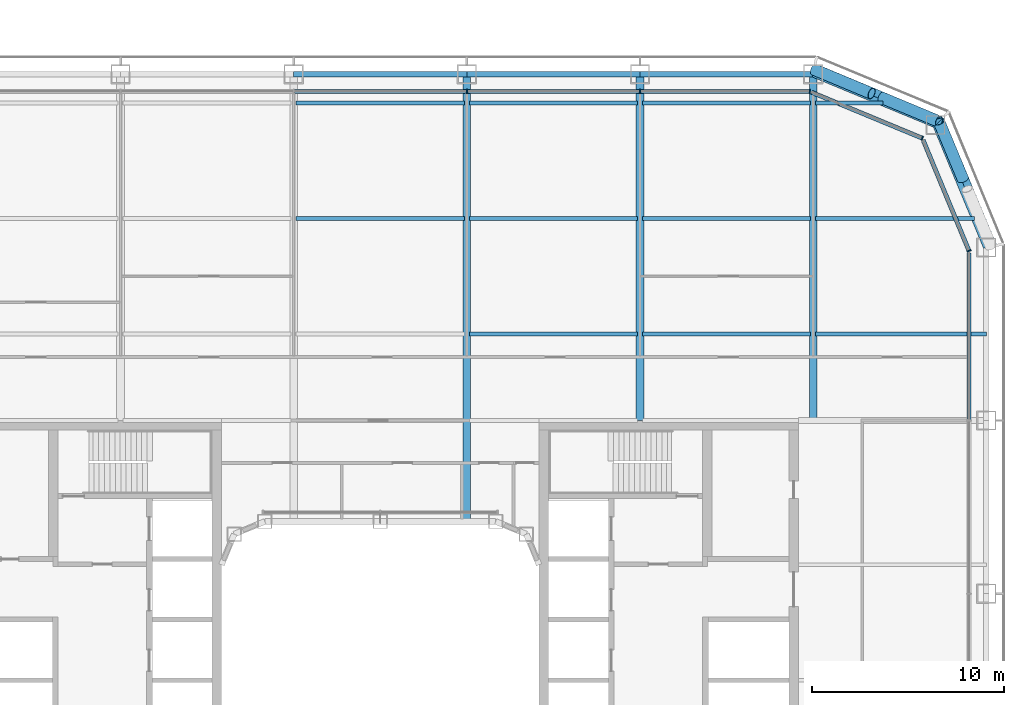
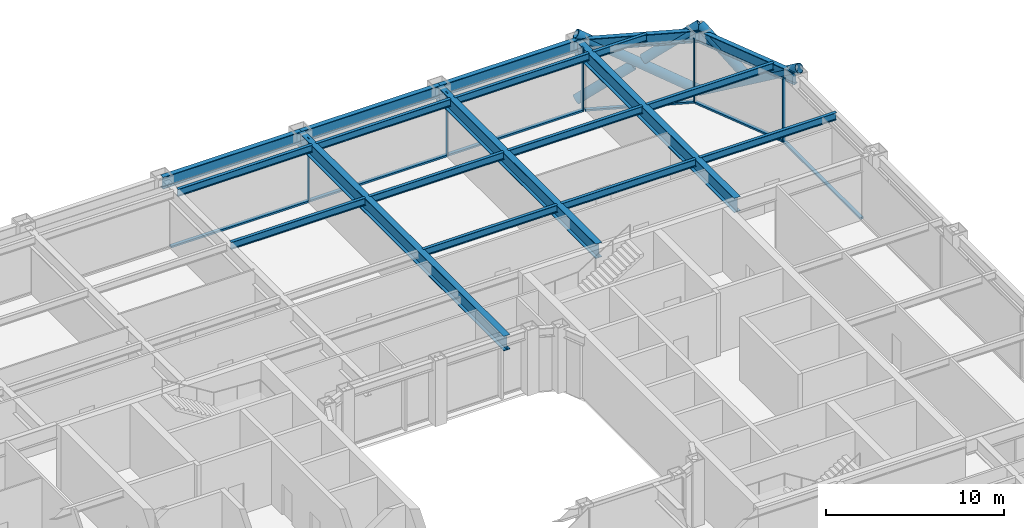
# One storey, part 10 of 28: 19 beams, 16 members, 4 elements without a shape of their own.
"""IFC4 building model written with IfcOpenShell, lengths in metres."""

from ifc_helpers import new_model, si_unit, direction, frame, origin, origin_2d, place, context, subcontext, project, spatial, rectangle, hollow_circle, i_section, extrude, material, layer, layer_set, material_profile, profile_set, type_object, element, aggregate, save


model = new_model("IFC4")

# Units and contexts
model_context = context("Model", 3, precision=1e-05, world=origin(), true_north=direction((0.0, 1.0)))
body_context = subcontext(model_context, "Body", "Model", "MODEL_VIEW")
ifc_project = project(units=[si_unit("LENGTHUNIT", "METRE"), si_unit("AREAUNIT", "SQUARE_METRE"), si_unit("VOLUMEUNIT", "CUBIC_METRE"), si_unit("PLANEANGLEUNIT", "RADIAN"), si_unit("MASSUNIT", "GRAM", prefix="KILO")], contexts=[model_context])

# Site, building, storey
site_placement = place(None, origin())
site = spatial("IfcSite", under=ifc_project, at=site_placement, CompositionType="ELEMENT")
building_placement = place(site_placement, origin())
building = spatial("IfcBuilding", under=site, at=building_placement, Name="Siwar Civic Tower", CompositionType="ELEMENT")
storey_placement = place(building_placement, frame((0.0, 0.0, 85.199951171875)))
storey = spatial("IfcBuildingStorey", under=building, at=storey_placement, Name="L18", CompositionType="ELEMENT", Elevation=85.199951171875)

# Curtain wall, member
ifc_material_1 = material(Name="Aluminium clad insulated panel", Category="aluminium")
ifc_layer_1 = layer(ifc_material_1, 0.219970703125)
ifc_layer_set_1 = layer_set([ifc_layer_1], Name="Aluminium clad insulated panel")
curtain_wall_type_1 = type_object("IfcCurtainWallType", Name="ENV-CW-AX", PredefinedType="NOTDEFINED", material=ifc_layer_set_1)
curtain_wall_1_placement = place(storey_placement, origin())
curtain_wall_1 = element("IfcCurtainWall", 1, at=curtain_wall_1_placement, inside=storey, type_object=curtain_wall_type_1, Name="Curtain wall A NE1", PredefinedType="NOTDEFINED")
ifc_material_2 = material(Name="Aluminium 6063-T6", Category="aluminium")
ifc_material_profile_1 = material_profile(ifc_material_2, rectangle(XDim=0.219970703125, YDim=0.070068359375, at=origin_2d()), Name="AL 220x70")
ifc_profile_set_1 = profile_set([ifc_material_profile_1], Name="Aluminium 6063-T6")
member_type_1 = type_object("IfcMemberType", Name="ENV-MULLION-A", PredefinedType="MULLION", material=ifc_profile_set_1)
member_1_placement = place(storey_placement, frame((30.60009765625, 22.321044921875, 0.0), z_axis=(0.0, 0.0, 1.0), x_axis=(-0.923879532511, -0.382683432365, 0.0)))
member_1 = element("IfcMember", 2, at=member_1_placement, type_object=member_type_1, Name="Mullion A NE1 1", PredefinedType="MULLION", context=body_context, shape_type="SweptSolid", body=[
    extrude(rectangle(XDim=0.219970703125, YDim=0.070068359375, at=origin_2d()), origin(), (0.0, 0.0, 1.0), 4.35009765625),
])

curtain_wall_2_placement = place(storey_placement, origin())
curtain_wall_2 = element("IfcCurtainWall", 3, at=curtain_wall_2_placement, inside=storey, type_object=curtain_wall_type_1, Name="Curtain wall A NE2", PredefinedType="NOTDEFINED")
member_2_placement = place(storey_placement, frame((28.175048828125, 28.175048828125, 0.0), z_axis=(0.0, 0.0, 1.0), x_axis=(-0.382683432365, -0.923879532511, 0.0)))
member_2 = element("IfcMember", 4, at=member_2_placement, type_object=member_type_1, Name="Mullion A NE2 1", PredefinedType="MULLION", context=body_context, shape_type="SweptSolid", body=[
    extrude(rectangle(XDim=0.219970703125, YDim=0.070068359375, at=origin_2d()), origin(), (0.0, 0.0, 1.0), 4.35009765625),
])

# Curtain wall, members
ifc_material_3 = material(Name="Aluminium and glass", Category="aluminium")
ifc_layer_2 = layer(ifc_material_3, 0.219970703125)
ifc_layer_set_2 = layer_set([ifc_layer_2], Name="Aluminium and glass")
curtain_wall_type_2 = type_object("IfcCurtainWallType", Name="ENV-CW-A", PredefinedType="NOTDEFINED", material=ifc_layer_set_2)
curtain_wall_3_placement = place(storey_placement, origin())
curtain_wall_3 = element("IfcCurtainWall", 5, at=curtain_wall_3_placement, inside=storey, type_object=curtain_wall_type_2, Name="Curtain wall A N", PredefinedType="NOTDEFINED")
member_3_placement = place(storey_placement, frame((22.321044921875, 30.60009765625, 0.0), z_axis=(0.0, 0.0, 1.0), x_axis=(0.0, -1.0, 0.0)))
member_3 = element("IfcMember", 6, at=member_3_placement, type_object=member_type_1, Name="Mullion A N 1", PredefinedType="MULLION", context=body_context, shape_type="SweptSolid", body=[
    extrude(rectangle(XDim=0.219970703125, YDim=0.070068359375, at=origin_2d()), origin(), (0.0, 0.0, 1.0), 4.35009765625),
])
member_4_placement = place(storey_placement, frame((13.5, 30.60009765625, 0.0), z_axis=(0.0, 0.0, 1.0), x_axis=(0.0, -1.0, 0.0)))
member_4 = element("IfcMember", 7, at=member_4_placement, type_object=member_type_1, Name="Mullion A N 2", PredefinedType="MULLION", context=body_context, shape_type="SweptSolid", body=[
    extrude(rectangle(XDim=0.219970703125, YDim=0.070068359375, at=origin_2d()), origin(), (0.0, 0.0, 1.0), 4.35009765625),
])
member_5_placement = place(storey_placement, frame((4.5, 30.60009765625, 0.0), z_axis=(0.0, 0.0, 1.0), x_axis=(0.0, -1.0, 0.0)))
member_5 = element("IfcMember", 8, at=member_5_placement, type_object=member_type_1, Name="Mullion A N 3", PredefinedType="MULLION", context=body_context, shape_type="SweptSolid", body=[
    extrude(rectangle(XDim=0.219970703125, YDim=0.070068359375, at=origin_2d()), origin(), (0.0, 0.0, 1.0), 4.35009765625),
])

# Curtain wall, member
curtain_wall_4_placement = place(storey_placement, origin())
curtain_wall_4 = element("IfcCurtainWall", 9, at=curtain_wall_4_placement, inside=storey, type_object=curtain_wall_type_2, Name="Curtain wall A E", PredefinedType="NOTDEFINED")
ifc_material_4 = material(Name="Aluminium 6063-T6", Category="aluminium")
ifc_material_profile_2 = material_profile(ifc_material_4, rectangle(XDim=0.219970703125, YDim=0.1201171875, at=origin_2d()), Name="AL 220x120")
ifc_profile_set_2 = profile_set([ifc_material_profile_2], Name="Aluminium 6063-T6")
member_type_2 = type_object("IfcMemberType", Name="ENV-TRANSOM-A", PredefinedType="USERDEFINED", material=ifc_profile_set_2)
member_6_placement = place(storey_placement, frame((30.60009765625, 13.534912109375, 0.06005859375), z_axis=(0.0, 1.0, 0.0), x_axis=(-1.0, 0.0, 0.0)))
member_6 = element("IfcMember", 10, at=member_6_placement, type_object=member_type_2, Name="Transom A E 5", ObjectType="TRANSOM", PredefinedType="USERDEFINED", context=body_context, shape_type="SweptSolid", body=[
    extrude(rectangle(XDim=0.219970703125, YDim=0.1201171875, at=origin_2d()), origin(), (0.0, 0.0, 1.0), 8.66357421875),
])
aggregate(curtain_wall_4, [member_6])

# Member
member_7_placement = place(storey_placement, frame((30.586669921875, 22.353271484375, 0.06005859375), z_axis=(-0.382698415042, 0.923873326341, 0.0), x_axis=(-0.923873326341, -0.382698415042, 0.0)))
member_7 = element("IfcMember", 11, at=member_7_placement, type_object=member_type_2, Name="Transom A NE1 1", ObjectType="TRANSOM", PredefinedType="USERDEFINED", context=body_context, shape_type="SweptSolid", body=[
    extrude(rectangle(XDim=0.219970703125, YDim=0.1201171875, at=origin_2d()), origin(), (0.0, 0.0, 1.0), 6.17919921875),
])

aggregate(curtain_wall_1, [member_1, member_7])

member_8_placement = place(storey_placement, frame((28.142822265625, 28.1884765625, 0.06005859375), z_axis=(-0.923873326341, 0.382698415042, 0.0), x_axis=(-0.382698415042, -0.923873326341, 0.0)))
member_8 = element("IfcMember", 12, at=member_8_placement, type_object=member_type_2, Name="Transom A NE2 1", ObjectType="TRANSOM", PredefinedType="USERDEFINED", context=body_context, shape_type="SweptSolid", body=[
    extrude(rectangle(XDim=0.219970703125, YDim=0.1201171875, at=origin_2d()), origin(), (0.0, 0.0, 1.0), 6.17919921875),
])

aggregate(curtain_wall_2, [member_2, member_8])

member_9_placement = place(storey_placement, frame((22.285888671875, 30.60009765625, 0.06005859375), z_axis=(-1.0, 0.0, 0.0), x_axis=(0.0, -1.0, 0.0)))
member_9 = element("IfcMember", 13, at=member_9_placement, type_object=member_type_2, Name="Transom A N 1", ObjectType="TRANSOM", PredefinedType="USERDEFINED", context=body_context, shape_type="SweptSolid", body=[
    extrude(rectangle(XDim=0.219970703125, YDim=0.1201171875, at=origin_2d()), origin(), (0.0, 0.0, 1.0), 8.7509765625),
])

member_10_placement = place(storey_placement, frame((13.465087890625, 30.60009765625, 0.06005859375), z_axis=(-1.0, 0.0, 0.0), x_axis=(0.0, -1.0, 0.0)))
member_10 = element("IfcMember", 14, at=member_10_placement, type_object=member_type_2, Name="Transom A N 2", ObjectType="TRANSOM", PredefinedType="USERDEFINED", context=body_context, shape_type="SweptSolid", body=[
    extrude(rectangle(XDim=0.219970703125, YDim=0.1201171875, at=origin_2d()), origin(), (0.0, 0.0, 1.0), 8.93017578125),
])

member_11_placement = place(storey_placement, frame((4.465087890625, 30.60009765625, 0.06005859375), z_axis=(-1.0, 0.0, 0.0), x_axis=(0.0, -1.0, 0.0)))
member_11 = element("IfcMember", 15, at=member_11_placement, type_object=member_type_2, Name="Transom A N 3", ObjectType="TRANSOM", PredefinedType="USERDEFINED", context=body_context, shape_type="SweptSolid", body=[
    extrude(rectangle(XDim=0.219970703125, YDim=0.1201171875, at=origin_2d()), origin(), (0.0, 0.0, 1.0), 8.93017578125),
])

aggregate(curtain_wall_3, [member_3, member_4, member_5, member_9, member_10, member_11])

# Members
ifc_material_5 = material(Name="Steel S355", Category="steel")
ifc_material_profile_3 = material_profile(ifc_material_5, hollow_circle(Radius=0.304931640625, WallThickness=0.030029296875, at=origin_2d()), Name="CHS610x30")
ifc_profile_set_3 = profile_set([ifc_material_profile_3], Name="Steel S355")
member_type_3 = type_object("IfcMemberType", Name="STR-BR-CHS610x30", PredefinedType="BRACE", material=ifc_profile_set_3)
member_12_placement = place(storey_placement, frame((29.040771484375, 29.040771484375, 0.0), z_axis=(-0.777554562952, 0.323905527954, 0.538975055633), x_axis=(-0.384538969033, -0.923108759191, 0.0)))
element("IfcMember", 16, at=member_12_placement, inside=storey, type_object=member_type_3, Name="L18/brc/ANE1-17-0-1", PredefinedType="BRACE", context=body_context, shape_type="SweptSolid", body=[
    extrude(hollow_circle(Radius=0.304931640625, WallThickness=0.030029296875, at=origin_2d()), origin(), (0.0, 0.0, 1.0), 8.34912109375),
])
member_13_placement = place(storey_placement, frame((22.548828125, 31.7451171875, 0.0), z_axis=(0.777533059308, -0.323882123145, 0.539020140617), x_axis=(0.384524353215, 0.923114847559, 0.0)))
element("IfcMember", 17, at=member_13_placement, inside=storey, type_object=member_type_3, Name="L18/brc/ANE1-17-0-2", PredefinedType="BRACE", context=body_context, shape_type="SweptSolid", body=[
    extrude(hollow_circle(Radius=0.304931640625, WallThickness=0.030029296875, at=origin_2d()), origin(), (0.0, 0.0, 1.0), 3.843505859375),
])
member_14_placement = place(storey_placement, frame((26.052001953125, 30.285888671875, 2.428466796875), z_axis=(0.777568797048, -0.323934068367, 0.538937366685), x_axis=(0.384561842466, 0.923099230484, 0.0)))
element("IfcMember", 18, at=member_14_placement, inside=storey, type_object=member_type_3, Name="L18/brc/ANE1-17-0-3", PredefinedType="BRACE", context=body_context, shape_type="SweptSolid", body=[
    extrude(hollow_circle(Radius=0.304931640625, WallThickness=0.030029296875, at=origin_2d()), origin(), (0.0, 0.0, 1.0), 3.84375),
])
member_15_placement = place(storey_placement, frame((29.040771484375, 29.040771484375, 0.0), z_axis=(0.323905527954, -0.777554562952, 0.538975055633), x_axis=(0.923108759191, 0.384538969033, 0.0)))
element("IfcMember", 19, at=member_15_placement, inside=storey, type_object=member_type_3, Name="L18/brc/ANE1-17-0-0", PredefinedType="BRACE", context=body_context, shape_type="SweptSolid", body=[
    extrude(hollow_circle(Radius=0.304931640625, WallThickness=0.030029296875, at=origin_2d()), origin(), (0.0, 0.0, 1.0), 8.34912109375),
])
member_16_placement = place(storey_placement, frame((30.285888671875, 26.052001953125, 2.428466796875), z_axis=(-0.323934068367, 0.777568797048, 0.538937366685), x_axis=(-0.923099230484, -0.384561842466, 0.0)))
element("IfcMember", 20, at=member_16_placement, inside=storey, type_object=member_type_3, Name="L18/brc/ANE1-17-0-5", PredefinedType="BRACE", context=body_context, shape_type="SweptSolid", body=[
    extrude(hollow_circle(Radius=0.304931640625, WallThickness=0.030029296875, at=origin_2d()), origin(), (0.0, 0.0, 1.0), 3.84375),
])

# Beams
ifc_material_6 = material(Name="Steel S355", Category="steel")
ifc_material_profile_4 = material_profile(ifc_material_6, i_section(OverallWidth=0.199951171875, OverallDepth=0.5, WebThickness=0.01025390625, FlangeThickness=0.01611328125, FilletRadius=0.02099609375, at=origin_2d()), Name="IPE500")
ifc_profile_set_4 = profile_set([ifc_material_profile_4], Name="Steel S355")
beam_type_1 = type_object("IfcBeamType", Name="STR-FB-IPE500", PredefinedType="JOIST", material=ifc_profile_set_4)
for number, where, z_axis, x_axis, name in (
    (21, (4.6298828125, 18.0, 4.10009765625), (1.0, 0.0, 0.0), (0.0, 1.0, 0.0), "L18/bm/F050"),
    (22, (13.6298828125, 18.0, 4.10009765625), (1.0, 0.0, 0.0), (0.0, 1.0, 0.0), "L18/bm/F051"),
):
    element("IfcBeam", number, at=place(storey_placement, frame(where, z_axis=z_axis, x_axis=x_axis)), inside=storey, type_object=beam_type_1, Name=name, PredefinedType="JOIST", context=body_context, shape_type="SweptSolid", body=[
        extrude(i_section(OverallWidth=0.199951171875, OverallDepth=0.5, WebThickness=0.01025390625, FlangeThickness=0.01611328125, FilletRadius=0.02099609375, at=origin_2d()), origin(), (0.0, 0.0, 1.0), 8.740234375),
    ])
beam_1_placement = place(storey_placement, frame((22.6298828125, 18.0, 4.10009765625), z_axis=(1.0, 0.0, 0.0), x_axis=(0.0, 1.0, 0.0)))
element("IfcBeam", 23, at=beam_1_placement, inside=storey, type_object=beam_type_1, Name="L18/bm/F052", PredefinedType="JOIST", context=body_context, shape_type="SweptSolid", body=[
    extrude(i_section(OverallWidth=0.199951171875, OverallDepth=0.5, WebThickness=0.01025390625, FlangeThickness=0.01611328125, FilletRadius=0.02099609375, at=origin_2d()), origin(), (0.0, 0.0, 1.0), 8.8701171875),
])
for number, where, z_axis, x_axis, name in (
    (24, (-4.3701171875, 24.0, 4.10009765625), (1.0, 0.0, 0.0), (0.0, 1.0, 0.0), "L18/bm/F056"),
    (25, (4.6298828125, 24.0, 4.10009765625), (1.0, 0.0, 0.0), (0.0, 1.0, 0.0), "L18/bm/F057"),
    (26, (13.6298828125, 24.0, 4.10009765625), (1.0, 0.0, 0.0), (0.0, 1.0, 0.0), "L18/bm/F058"),
):
    element("IfcBeam", number, at=place(storey_placement, frame(where, z_axis=z_axis, x_axis=x_axis)), inside=storey, type_object=beam_type_1, Name=name, PredefinedType="JOIST", context=body_context, shape_type="SweptSolid", body=[
        extrude(i_section(OverallWidth=0.199951171875, OverallDepth=0.5, WebThickness=0.01025390625, FlangeThickness=0.01611328125, FilletRadius=0.02099609375, at=origin_2d()), origin(), (0.0, 0.0, 1.0), 8.740234375),
    ])
beam_2_placement = place(storey_placement, frame((22.6298828125, 24.0, 4.10009765625), z_axis=(1.0, 0.0, 0.0), x_axis=(0.0, 1.0, 0.0)))
element("IfcBeam", 27, at=beam_2_placement, inside=storey, type_object=beam_type_1, Name="L18/bm/F059", PredefinedType="JOIST", context=body_context, shape_type="SweptSolid", body=[
    extrude(i_section(OverallWidth=0.199951171875, OverallDepth=0.5, WebThickness=0.01025390625, FlangeThickness=0.01611328125, FilletRadius=0.02099609375, at=origin_2d()), origin(), (0.0, 0.0, 1.0), 8.248779296875),
])
for number, where, z_axis, x_axis, name in (
    (28, (-4.3701171875, 30.0, 4.10009765625), (1.0, 0.0, 0.0), (0.0, 1.0, 0.0), "L18/bm/F063"),
    (29, (4.6298828125, 30.0, 4.10009765625), (1.0, 0.0, 0.0), (0.0, 1.0, 0.0), "L18/bm/F064"),
    (30, (13.6298828125, 30.0, 4.10009765625), (1.0, 0.0, 0.0), (0.0, 1.0, 0.0), "L18/bm/F065"),
):
    element("IfcBeam", number, at=place(storey_placement, frame(where, z_axis=z_axis, x_axis=x_axis)), inside=storey, type_object=beam_type_1, Name=name, PredefinedType="JOIST", context=body_context, shape_type="SweptSolid", body=[
        extrude(i_section(OverallWidth=0.199951171875, OverallDepth=0.5, WebThickness=0.01025390625, FlangeThickness=0.01611328125, FilletRadius=0.02099609375, at=origin_2d()), origin(), (0.0, 0.0, 1.0), 8.740234375),
    ])
beam_3_placement = place(storey_placement, frame((22.6298828125, 30.0, 4.10009765625), z_axis=(1.0, 0.0, 0.0), x_axis=(0.0, 1.0, 0.0)))
element("IfcBeam", 31, at=beam_3_placement, inside=storey, type_object=beam_type_1, Name="L18/bm/F066", PredefinedType="JOIST", context=body_context, shape_type="SweptSolid", body=[
    extrude(i_section(OverallWidth=0.199951171875, OverallDepth=0.5, WebThickness=0.01025390625, FlangeThickness=0.01611328125, FilletRadius=0.02099609375, at=origin_2d()), origin(), (0.0, 0.0, 1.0), 3.491455078125),
])
ifc_material_7 = material(Name="Steel S355", Category="steel")
ifc_material_profile_5 = material_profile(ifc_material_7, i_section(OverallWidth=0.39990234375, OverallDepth=1.0, WebThickness=0.01611328125, FlangeThickness=0.0400390625, at=origin_2d()), Name="PG1000x400x16x40")
ifc_profile_set_5 = profile_set([ifc_material_profile_5], Name="Steel S355")
beam_type_2 = type_object("IfcBeamType", Name="STR-PG-PG1000x400x16x40", PredefinedType="BEAM", material=ifc_profile_set_5)
beam_4_placement = place(storey_placement, frame((4.5, 8.25, 3.85009765625), z_axis=(0.0, 1.0, 0.0), x_axis=(-1.0, 0.0, 0.0)))
element("IfcBeam", 32, at=beam_4_placement, inside=storey, type_object=beam_type_2, Name="L18/bm/G08", PredefinedType="BEAM", context=body_context, shape_type="SweptSolid", body=[
    extrude(i_section(OverallWidth=0.39990234375, OverallDepth=1.0, WebThickness=0.01611328125, FlangeThickness=0.0400390625, at=origin_2d()), origin(), (0.0, 0.0, 1.0), 23.25),
])
for number, where, z_axis, x_axis, name in (
    (33, (13.5, 13.5, 3.85009765625), (0.0, 1.0, 0.0), (-1.0, 0.0, 0.0), "L18/bm/G10"),
    (34, (22.5, 13.5, 3.85009765625), (0.0, 1.0, 0.0), (-1.0, 0.0, 0.0), "L18/bm/G12"),
):
    element("IfcBeam", number, at=place(storey_placement, frame(where, z_axis=z_axis, x_axis=x_axis)), inside=storey, type_object=beam_type_2, Name=name, PredefinedType="BEAM", context=body_context, shape_type="SweptSolid", body=[
        extrude(i_section(OverallWidth=0.39990234375, OverallDepth=1.0, WebThickness=0.01611328125, FlangeThickness=0.0400390625, at=origin_2d()), origin(), (0.0, 0.0, 1.0), 18.0),
    ])
ifc_material_8 = material(Name="Steel S355", Category="steel")
ifc_material_profile_6 = material_profile(ifc_material_8, i_section(OverallWidth=0.302978515625, OverallDepth=0.81396484375, WebThickness=0.02099609375, FlangeThickness=0.0400390625, FilletRadius=0.030029296875, at=origin_2d()), Name="HEM800")
ifc_profile_set_6 = profile_set([ifc_material_profile_6], Name="Steel S355")
beam_type_3 = type_object("IfcBeamType", Name="STR-SB-HEM800", PredefinedType="BEAM", material=ifc_profile_set_6)
for number, where, z_axis, x_axis, name in (
    (35, (31.5, 22.5, 3.943115234375), (-0.382674207535, 0.923883353507, 0.0), (-0.923883353507, -0.382674207535, 0.0), "L18/bm/SNE1-0"),
    (36, (28.864013671875, 28.864013671875, 3.943115234375), (-0.923883353507, 0.382674207535, 0.0), (-0.382674207535, -0.923883353507, 0.0), "L18/bm/SNE2-0"),
):
    element("IfcBeam", number, at=place(storey_placement, frame(where, z_axis=z_axis, x_axis=x_axis)), inside=storey, type_object=beam_type_3, Name=name, PredefinedType="BEAM", context=body_context, shape_type="SweptSolid", body=[
        extrude(i_section(OverallWidth=0.302978515625, OverallDepth=0.81396484375, WebThickness=0.02099609375, FlangeThickness=0.0400390625, FilletRadius=0.030029296875, at=origin_2d()), origin(), (0.0, 0.0, 1.0), 6.888427734375),
    ])
for number, where, z_axis, x_axis, name in (
    (37, (22.5, 31.5, 3.943115234375), (-1.0, 0.0, 0.0), (0.0, -1.0, 0.0), "L18/bm/SN-0"),
    (38, (13.5, 31.5, 3.943115234375), (-1.0, 0.0, 0.0), (0.0, -1.0, 0.0), "L18/bm/SN-1"),
    (39, (4.5, 31.5, 3.943115234375), (-1.0, 0.0, 0.0), (0.0, -1.0, 0.0), "L18/bm/SN-2"),
):
    element("IfcBeam", number, at=place(storey_placement, frame(where, z_axis=z_axis, x_axis=x_axis)), inside=storey, type_object=beam_type_3, Name=name, PredefinedType="BEAM", context=body_context, shape_type="SweptSolid", body=[
        extrude(i_section(OverallWidth=0.302978515625, OverallDepth=0.81396484375, WebThickness=0.02099609375, FlangeThickness=0.0400390625, FilletRadius=0.030029296875, at=origin_2d()), origin(), (0.0, 0.0, 1.0), 9.0),
    ])

save(model, "model.ifc")
